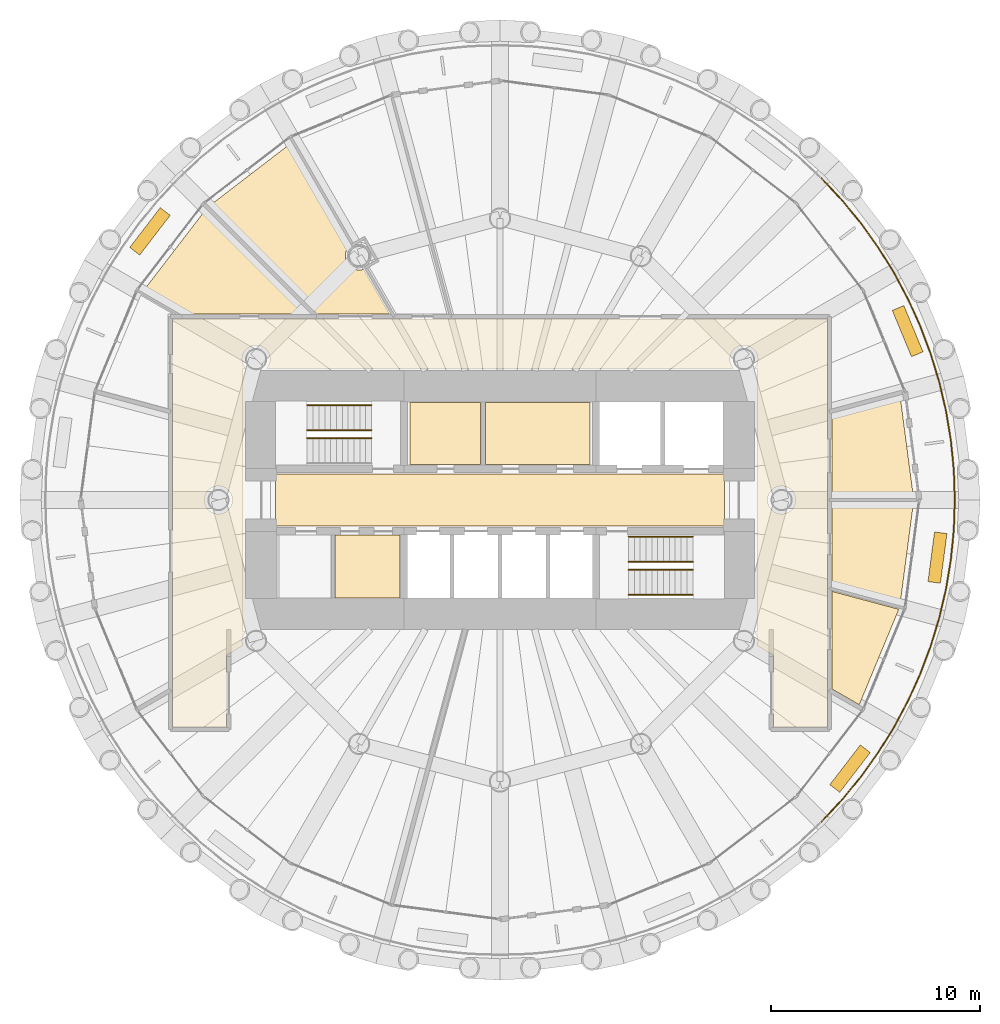
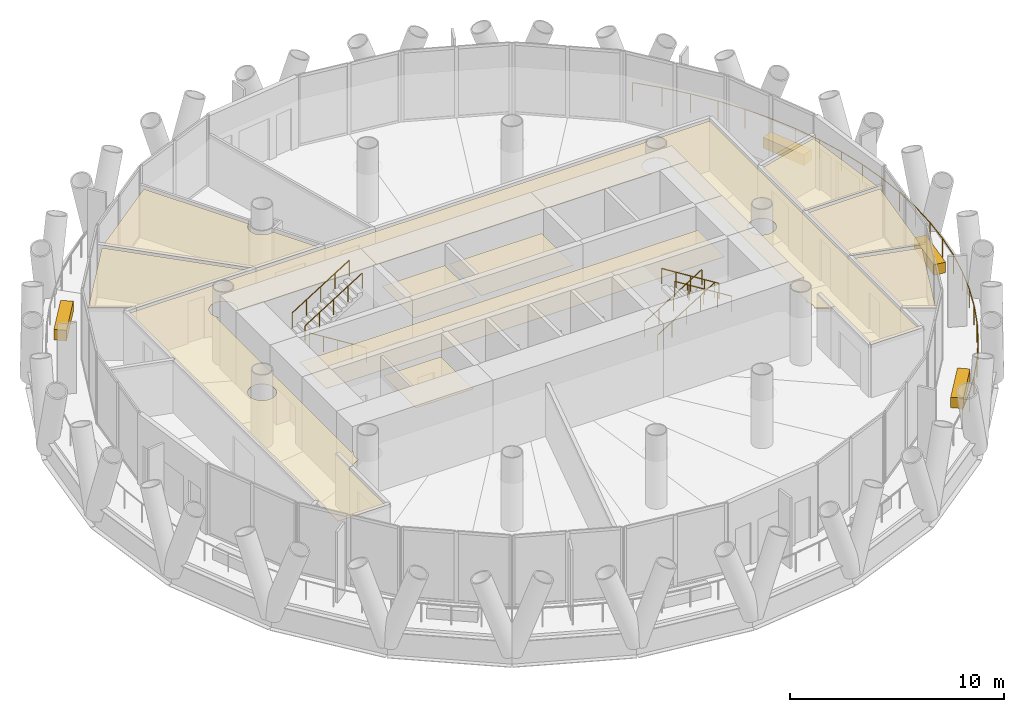
# One storey, part 13 of 14: 14 coverings, 8 railings.
"""IFC4 building model written with IfcOpenShell, lengths in metres."""

from ifc_helpers import new_model, si_unit, direction, frame, origin, origin_2d, place, context, subcontext, project, spatial, polyline, rectangle, circle, outline, extrude, material, layer, layer_set, type_object, element, save


model = new_model("IFC4")

# Units and contexts
model_context = context("Model", 3, precision=1e-05, world=origin(), true_north=direction((0.0, 1.0)))
body_context = subcontext(model_context, "Body", "Model", "MODEL_VIEW")
ifc_project = project(units=[si_unit("LENGTHUNIT", "METRE"), si_unit("AREAUNIT", "SQUARE_METRE"), si_unit("VOLUMEUNIT", "CUBIC_METRE"), si_unit("PLANEANGLEUNIT", "RADIAN"), si_unit("MASSUNIT", "GRAM", prefix="KILO")], contexts=[model_context])

# Site, building, storey
site_placement = place(None, origin())
site = spatial("IfcSite", under=ifc_project, at=site_placement, CompositionType="ELEMENT")
building_placement = place(site_placement, origin())
building = spatial("IfcBuilding", under=site, at=building_placement, Name="Qaws Media Tower", CompositionType="ELEMENT")
storey_placement = place(building_placement, frame((0.0, 0.0, 227.60009765625)))
storey = spatial("IfcBuildingStorey", under=building, at=storey_placement, Name="L52", CompositionType="ELEMENT", Elevation=227.60009765625)

# Covering
ifc_material_1 = material(Name="40 perforated acoustic panels with mineral wool backing, suspended", Category="mineral fibre")
ifc_layer_1 = layer(ifc_material_1, 0.0400390625)
ifc_layer_set_1 = layer_set([ifc_layer_1], Name="Acoustic panel ceiling 40")
covering_type_1 = type_object("IfcCoveringType", Name="Acoustic panel ceiling 40", PredefinedType="CEILING", material=ifc_layer_set_1)
covering_1_placement = place(storey_placement, frame((0.0, 0.0, 2.849853515625)))
element("IfcCovering", 1, at=covering_1_placement, inside=storey, type_object=covering_type_1, Name="CL3 ceiling L52-12 Meeting room", PredefinedType="CEILING", context=body_context, shape_type="SweptSolid", body=[
    extrude(outline(polyline([(79.17431640625, 44.978759765625), (75.91259765625, 45.852783203125), (75.91259765625, 49.887451171875), (79.8203125, 49.887451171875), (79.17431640625, 44.978759765625)])), origin(), (0.0, 0.0, 1.0), 0.0400390625),
])

# Railing
ifc_material_2 = material(Name="Stainless steel and glass guard", Category="steel")
railing_type_1 = type_object("IfcRailingType", Name="Balcony guard 1100", PredefinedType="GUARDRAIL", material=ifc_material_2)
railing_1_placement = place(storey_placement, frame((75.4150390625, 34.5849609375, 0.0)))
element("IfcRailing", 2, at=railing_1_placement, inside=storey, type_object=railing_type_1, Name="GR1 balcony guard L52-4", PredefinedType="GUARDRAIL", context=body_context, shape_type="SweptSolid", body=[
    extrude(circle(Radius=0.02392578125, at=origin_2d()), frame((0.0, 0.0, 1.076171875), z_axis=(0.683536832467, 0.72991602165, 0.0), x_axis=(-0.72991602165, 0.683536832467, 0.0)), (0.0, 0.0, 1.0), 1.426513671875),
    extrude(circle(Radius=0.02392578125, at=origin_2d()), frame((0.97509765625, 1.041259765625, 1.076171875), z_axis=(0.634392660564, 0.773010965138, 0.0), x_axis=(-0.773010965138, 0.634392660564, 0.0)), (0.0, 0.0, 1.0), 1.426513671875),
    extrude(circle(Radius=0.02392578125, at=origin_2d()), frame((1.880126953125, 2.14404296875, 1.076171875), z_axis=(0.58238702239, 0.81291165335, 0.0), x_axis=(-0.81291165335, 0.58238702239, 0.0)), (0.0, 0.0, 1.0), 1.426513671875),
    extrude(circle(Radius=0.02392578125, at=origin_2d()), frame((2.7109375, 3.3037109375, 1.076171875), z_axis=(0.528120931636, 0.849169171348, 0.0), x_axis=(-0.849169171348, 0.528120931636, 0.0)), (0.0, 0.0, 1.0), 1.426513671875),
    extrude(circle(Radius=0.02392578125, at=origin_2d()), frame((3.46435546875, 4.51513671875, 1.076171875), z_axis=(0.471352023632, 0.881945162591, 0.0), x_axis=(-0.881945162591, 0.471352023632, 0.0)), (0.0, 0.0, 1.0), 1.426513671875),
    extrude(circle(Radius=0.02392578125, at=origin_2d()), frame((4.13671875, 5.773193359375, 1.076171875), z_axis=(0.412796933547, 0.910823084717, 0.0), x_axis=(-0.910823084717, 0.412796933547, 0.0)), (0.0, 0.0, 1.0), 1.426513671875),
    extrude(circle(Radius=0.02392578125, at=origin_2d()), frame((4.7255859375, 7.072509765625, 1.076171875), z_axis=(0.352192209434, 0.935927693582, 0.0), x_axis=(-0.935927693582, 0.352192209434, 0.0)), (0.0, 0.0, 1.0), 1.426513671875),
    extrude(circle(Radius=0.02392578125, at=origin_2d()), frame((5.22802734375, 8.40771484375, 1.076171875), z_axis=(0.29028290489, 0.956940873371, 0.0), x_axis=(-0.956940873371, 0.29028290489, 0.0)), (0.0, 0.0, 1.0), 1.426513671875),
    extrude(circle(Radius=0.02392578125, at=origin_2d()), frame((5.64208984375, 9.772705078125, 1.076171875), z_axis=(0.227083552288, 0.973875279633, 0.0), x_axis=(-0.973875279633, 0.227083552288, 0.0)), (0.0, 0.0, 1.0), 1.4267578125),
    extrude(circle(Radius=0.02392578125, at=origin_2d()), frame((5.966064453125, 11.162109375, 1.076171875), z_axis=(0.162927901933, 0.986637977564, 0.0), x_axis=(-0.986637977564, 0.162927901933, 0.0)), (0.0, 0.0, 1.0), 1.426513671875),
    extrude(circle(Radius=0.02392578125, at=origin_2d()), frame((6.198486328125, 12.569580078125, 1.076171875), z_axis=(0.098063326095, 0.995180176689, 0.0), x_axis=(-0.995180176689, 0.098063326095, 0.0)), (0.0, 0.0, 1.0), 1.426513671875),
    extrude(circle(Radius=0.02392578125, at=origin_2d()), frame((6.33837890625, 13.9892578125, 1.076171875), z_axis=(0.03268800179, 0.99946560448, 0.0), x_axis=(-0.99946560448, 0.03268800179, 0.0)), (0.0, 0.0, 1.0), 1.426513671875),
    extrude(circle(Radius=0.02392578125, at=origin_2d()), frame((6.385009765625, 15.4150390625, 1.076171875), z_axis=(-0.03268800179, 0.99946560448, 0.0), x_axis=(-0.99946560448, -0.03268800179, 0.0)), (0.0, 0.0, 1.0), 1.426513671875),
    extrude(circle(Radius=0.02392578125, at=origin_2d()), frame((6.33837890625, 16.8408203125, 1.076171875), z_axis=(-0.098063326095, 0.995180176689, 0.0), x_axis=(-0.995180176689, -0.098063326095, 0.0)), (0.0, 0.0, 1.0), 1.426513671875),
    extrude(circle(Radius=0.02392578125, at=origin_2d()), frame((6.198486328125, 18.260498046875, 1.076171875), z_axis=(-0.162927901933, 0.986637977564, 0.0), x_axis=(-0.986637977564, -0.162927901933, 0.0)), (0.0, 0.0, 1.0), 1.426513671875),
    extrude(circle(Radius=0.02392578125, at=origin_2d()), frame((5.966064453125, 19.66796875, 1.076171875), z_axis=(-0.227083552288, 0.973875279633, 0.0), x_axis=(-0.973875279633, -0.227083552288, 0.0)), (0.0, 0.0, 1.0), 1.4267578125),
    extrude(circle(Radius=0.02392578125, at=origin_2d()), frame((5.64208984375, 21.057373046875, 1.076171875), z_axis=(-0.29028290489, 0.956940873371, 0.0), x_axis=(-0.956940873371, -0.29028290489, 0.0)), (0.0, 0.0, 1.0), 1.426513671875),
    extrude(circle(Radius=0.02392578125, at=origin_2d()), frame((5.22802734375, 22.42236328125, 1.076171875), z_axis=(-0.352192209434, 0.935927693582, 0.0), x_axis=(-0.935927693582, -0.352192209434, 0.0)), (0.0, 0.0, 1.0), 1.426513671875),
    extrude(circle(Radius=0.02392578125, at=origin_2d()), frame((4.7255859375, 23.757568359375, 1.076171875), z_axis=(-0.412796933547, 0.910823084717, 0.0), x_axis=(-0.910823084717, -0.412796933547, 0.0)), (0.0, 0.0, 1.0), 1.426513671875),
    extrude(circle(Radius=0.02392578125, at=origin_2d()), frame((4.13671875, 25.056884765625, 1.076171875), z_axis=(-0.471352023632, 0.881945162591, 0.0), x_axis=(-0.881945162591, -0.471352023632, 0.0)), (0.0, 0.0, 1.0), 1.426513671875),
    extrude(circle(Radius=0.02392578125, at=origin_2d()), frame((3.46435546875, 26.31494140625, 1.076171875), z_axis=(-0.528120931636, 0.849169171348, 0.0), x_axis=(-0.849169171348, -0.528120931636, 0.0)), (0.0, 0.0, 1.0), 1.426513671875),
    extrude(circle(Radius=0.02392578125, at=origin_2d()), frame((2.7109375, 27.5263671875, 1.076171875), z_axis=(-0.58238702239, 0.81291165335, 0.0), x_axis=(-0.81291165335, -0.58238702239, 0.0)), (0.0, 0.0, 1.0), 1.426513671875),
    extrude(circle(Radius=0.02392578125, at=origin_2d()), frame((1.880126953125, 28.68603515625, 1.076171875), z_axis=(-0.634392660564, 0.773010965138, 0.0), x_axis=(-0.773010965138, -0.634392660564, 0.0)), (0.0, 0.0, 1.0), 1.426513671875),
    extrude(circle(Radius=0.02392578125, at=origin_2d()), frame((0.97509765625, 29.788818359375, 1.076171875), z_axis=(-0.683536832467, 0.72991602165, 0.0), x_axis=(-0.72991602165, -0.683536832467, 0.0)), (0.0, 0.0, 1.0), 1.426513671875),
    extrude(circle(Radius=0.02099609375, at=origin_2d()), origin(), (0.0, 0.0, 1.0), 1.052001953125),
    extrude(circle(Radius=0.02099609375, at=origin_2d()), frame((0.97509765625, 1.041259765625, 0.0)), (0.0, 0.0, 1.0), 1.052001953125),
    extrude(circle(Radius=0.02099609375, at=origin_2d()), frame((1.880126953125, 2.14404296875, 0.0)), (0.0, 0.0, 1.0), 1.052001953125),
    extrude(circle(Radius=0.02099609375, at=origin_2d()), frame((2.7109375, 3.3037109375, 0.0)), (0.0, 0.0, 1.0), 1.052001953125),
    extrude(circle(Radius=0.02099609375, at=origin_2d()), frame((3.46435546875, 4.51513671875, 0.0)), (0.0, 0.0, 1.0), 1.052001953125),
    extrude(circle(Radius=0.02099609375, at=origin_2d()), frame((4.13671875, 5.773193359375, 0.0)), (0.0, 0.0, 1.0), 1.052001953125),
    extrude(circle(Radius=0.02099609375, at=origin_2d()), frame((4.7255859375, 7.072509765625, 0.0)), (0.0, 0.0, 1.0), 1.052001953125),
    extrude(circle(Radius=0.02099609375, at=origin_2d()), frame((5.22802734375, 8.40771484375, 0.0)), (0.0, 0.0, 1.0), 1.052001953125),
    extrude(circle(Radius=0.02099609375, at=origin_2d()), frame((5.64208984375, 9.772705078125, 0.0)), (0.0, 0.0, 1.0), 1.052001953125),
    extrude(circle(Radius=0.02099609375, at=origin_2d()), frame((5.966064453125, 11.162109375, 0.0)), (0.0, 0.0, 1.0), 1.052001953125),
    extrude(circle(Radius=0.02099609375, at=origin_2d()), frame((6.198486328125, 12.569580078125, 0.0)), (0.0, 0.0, 1.0), 1.052001953125),
    extrude(circle(Radius=0.02099609375, at=origin_2d()), frame((6.33837890625, 13.9892578125, 0.0)), (0.0, 0.0, 1.0), 1.052001953125),
    extrude(circle(Radius=0.02099609375, at=origin_2d()), frame((6.385009765625, 15.4150390625, 0.0)), (0.0, 0.0, 1.0), 1.052001953125),
    extrude(circle(Radius=0.02099609375, at=origin_2d()), frame((6.33837890625, 16.8408203125, 0.0)), (0.0, 0.0, 1.0), 1.052001953125),
    extrude(circle(Radius=0.02099609375, at=origin_2d()), frame((6.198486328125, 18.260498046875, 0.0)), (0.0, 0.0, 1.0), 1.052001953125),
    extrude(circle(Radius=0.02099609375, at=origin_2d()), frame((5.966064453125, 19.66796875, 0.0)), (0.0, 0.0, 1.0), 1.052001953125),
    extrude(circle(Radius=0.02099609375, at=origin_2d()), frame((5.64208984375, 21.057373046875, 0.0)), (0.0, 0.0, 1.0), 1.052001953125),
    extrude(circle(Radius=0.02099609375, at=origin_2d()), frame((5.22802734375, 22.42236328125, 0.0)), (0.0, 0.0, 1.0), 1.052001953125),
    extrude(circle(Radius=0.02099609375, at=origin_2d()), frame((4.7255859375, 23.757568359375, 0.0)), (0.0, 0.0, 1.0), 1.052001953125),
    extrude(circle(Radius=0.02099609375, at=origin_2d()), frame((4.13671875, 25.056884765625, 0.0)), (0.0, 0.0, 1.0), 1.052001953125),
    extrude(circle(Radius=0.02099609375, at=origin_2d()), frame((3.46435546875, 26.31494140625, 0.0)), (0.0, 0.0, 1.0), 1.052001953125),
    extrude(circle(Radius=0.02099609375, at=origin_2d()), frame((2.7109375, 27.5263671875, 0.0)), (0.0, 0.0, 1.0), 1.052001953125),
    extrude(circle(Radius=0.02099609375, at=origin_2d()), frame((1.880126953125, 28.68603515625, 0.0)), (0.0, 0.0, 1.0), 1.052001953125),
    extrude(circle(Radius=0.02099609375, at=origin_2d()), frame((0.97509765625, 29.788818359375, 0.0)), (0.0, 0.0, 1.0), 1.052001953125),
    extrude(circle(Radius=0.02099609375, at=origin_2d()), frame((0.0, 30.830078125, 0.0)), (0.0, 0.0, 1.0), 1.052001953125),
])

# Coverings
ifc_material_3 = material(Name="600 x 600 mineral fibre tiles in exposed grid, suspended", Category="mineral fibre")
ifc_layer_2 = layer(ifc_material_3, 0.02001953125)
ifc_layer_set_2 = layer_set([ifc_layer_2], Name="Mineral fibre tile ceiling 20")
covering_type_2 = type_object("IfcCoveringType", Name="Mineral fibre tile ceiling 20", PredefinedType="CEILING", material=ifc_layer_set_2)
covering_2_placement = place(storey_placement, frame((0.0, 0.0, 2.849853515625)))
element("IfcCovering", 3, at=covering_2_placement, inside=storey, type_object=covering_type_2, Name="CL1 ceiling L52-C07 Ladies toilets", PredefinedType="CEILING", context=body_context, shape_type="SweptSolid", body=[
    extrude(outline(polyline([(55.695068359375, 51.695068359375), (55.695068359375, 54.679931640625), (59.075439453125, 54.679931640625), (59.075439453125, 51.695068359375), (55.695068359375, 51.695068359375)])), origin(), (0.0, 0.0, 1.0), 0.02001953125),
])
covering_3_placement = place(storey_placement, frame((0.0, 0.0, 2.849853515625)))
element("IfcCovering", 4, at=covering_3_placement, inside=storey, type_object=covering_type_2, Name="CL1 ceiling L52-C08 Gents toilets", PredefinedType="CEILING", context=body_context, shape_type="SweptSolid", body=[
    extrude(outline(polyline([(59.3154296875, 51.695068359375), (59.3154296875, 54.679931640625), (64.304931640625, 54.679931640625), (64.304931640625, 51.695068359375), (59.3154296875, 51.695068359375)])), origin(), (0.0, 0.0, 1.0), 0.02001953125),
])
covering_4_placement = place(storey_placement, frame((0.0, 0.0, 2.849853515625)))
element("IfcCovering", 5, at=covering_4_placement, inside=storey, type_object=covering_type_2, Name="CL1 ceiling L52-01 Corridor", PredefinedType="CEILING", context=body_context, shape_type="SweptSolid", body=[
    extrude(outline(polyline([(44.3125, 39.112548828125), (44.3125, 58.6875), (75.6875, 58.6875), (75.6875, 39.112548828125), (73.112548828125, 39.112548828125), (73.112548828125, 42.559326171875), (72.31689453125, 43.018798828125), (72.336669921875, 43.0771484375), (72.353515625, 43.162841796875), (72.359375, 43.25), (72.353515625, 43.337158203125), (72.336669921875, 43.4228515625), (72.30859375, 43.505615234375), (72.269775390625, 43.583984375), (72.22119140625, 43.65673828125), (72.1943359375, 43.6875), (72.3125, 43.6875), (72.3125, 56.3125), (72.1943359375, 56.3125), (72.22119140625, 56.34326171875), (72.269775390625, 56.416015625), (72.30859375, 56.494384765625), (72.336669921875, 56.5771484375), (72.353515625, 56.662841796875), (72.359375, 56.75), (72.353515625, 56.837158203125), (72.336669921875, 56.9228515625), (72.30859375, 57.005615234375), (72.269775390625, 57.083984375), (72.22119140625, 57.15673828125), (72.163818359375, 57.222412109375), (72.097900390625, 57.280029296875), (72.025390625, 57.32861328125), (71.947021484375, 57.3671875), (71.8642578125, 57.395263671875), (71.778564453125, 57.412353515625), (71.69140625, 57.41796875), (71.604248046875, 57.412353515625), (71.5185546875, 57.395263671875), (71.435791015625, 57.3671875), (71.357421875, 57.32861328125), (71.28466796875, 57.280029296875), (71.218994140625, 57.222412109375), (71.161376953125, 57.15673828125), (71.11279296875, 57.083984375), (71.07421875, 57.005615234375), (71.046142578125, 56.9228515625), (71.029052734375, 56.837158203125), (71.023193359375, 56.75), (71.029052734375, 56.662841796875), (71.046142578125, 56.5771484375), (71.07421875, 56.494384765625), (71.11279296875, 56.416015625), (71.161376953125, 56.34326171875), (71.1884765625, 56.3125), (48.8115234375, 56.3125), (48.838623046875, 56.34326171875), (48.88720703125, 56.416015625), (48.92578125, 56.494384765625), (48.953857421875, 56.5771484375), (48.970947265625, 56.662841796875), (48.976806640625, 56.75), (48.970947265625, 56.837158203125), (48.953857421875, 56.9228515625), (48.92578125, 57.005615234375), (48.88720703125, 57.083984375), (48.838623046875, 57.15673828125), (48.781005859375, 57.222412109375), (48.71533203125, 57.280029296875), (48.642578125, 57.32861328125), (48.564208984375, 57.3671875), (48.4814453125, 57.395263671875), (48.395751953125, 57.412353515625), (48.30859375, 57.41796875), (48.221435546875, 57.412353515625), (48.1357421875, 57.395263671875), (48.052978515625, 57.3671875), (47.974609375, 57.32861328125), (47.902099609375, 57.280029296875), (47.836181640625, 57.222412109375), (47.77880859375, 57.15673828125), (47.730224609375, 57.083984375), (47.69140625, 57.005615234375), (47.663330078125, 56.9228515625), (47.646484375, 56.837158203125), (47.640625, 56.75), (47.646484375, 56.662841796875), (47.663330078125, 56.5771484375), (47.69140625, 56.494384765625), (47.730224609375, 56.416015625), (47.77880859375, 56.34326171875), (47.8056640625, 56.3125), (47.6875, 56.3125), (47.6875, 43.6875), (47.8056640625, 43.6875), (47.77880859375, 43.65673828125), (47.730224609375, 43.583984375), (47.69140625, 43.505615234375), (47.663330078125, 43.4228515625), (47.646484375, 43.337158203125), (47.640625, 43.25), (47.646484375, 43.162841796875), (47.663330078125, 43.0771484375), (47.68310546875, 43.018798828125), (46.887451171875, 42.559326171875), (46.887451171875, 39.112548828125), (44.3125, 39.112548828125)]), holes=[polyline([(47.1171875, 49.744384765625), (47.145263671875, 49.8271484375), (47.162353515625, 49.912841796875), (47.16796875, 50.0), (47.162353515625, 50.087158203125), (47.145263671875, 50.1728515625), (47.1171875, 50.255615234375), (47.07861328125, 50.333984375), (47.030029296875, 50.40673828125), (46.972412109375, 50.472412109375), (46.90673828125, 50.530029296875), (46.833984375, 50.57861328125), (46.755615234375, 50.6171875), (46.6728515625, 50.645263671875), (46.587158203125, 50.662353515625), (46.5, 50.66796875), (46.412841796875, 50.662353515625), (46.3271484375, 50.645263671875), (46.244384765625, 50.6171875), (46.166015625, 50.57861328125), (46.09326171875, 50.530029296875), (46.027587890625, 50.472412109375), (45.969970703125, 50.40673828125), (45.92138671875, 50.333984375), (45.8828125, 50.255615234375), (45.854736328125, 50.1728515625), (45.837646484375, 50.087158203125), (45.83203125, 50.0), (45.837646484375, 49.912841796875), (45.854736328125, 49.8271484375), (45.8828125, 49.744384765625), (45.92138671875, 49.666015625), (45.969970703125, 49.59326171875), (46.027587890625, 49.527587890625), (46.09326171875, 49.469970703125), (46.166015625, 49.42138671875), (46.244384765625, 49.3828125), (46.3271484375, 49.354736328125), (46.412841796875, 49.337646484375), (46.5, 49.33203125), (46.587158203125, 49.337646484375), (46.6728515625, 49.354736328125), (46.755615234375, 49.3828125), (46.833984375, 49.42138671875), (46.90673828125, 49.469970703125), (46.972412109375, 49.527587890625), (47.030029296875, 49.59326171875), (47.07861328125, 49.666015625), (47.1171875, 49.744384765625)]), polyline([(74.145263671875, 49.8271484375), (74.162353515625, 49.912841796875), (74.16796875, 50.0), (74.162353515625, 50.087158203125), (74.145263671875, 50.1728515625), (74.1171875, 50.255615234375), (74.07861328125, 50.333984375), (74.030029296875, 50.40673828125), (73.972412109375, 50.472412109375), (73.90673828125, 50.530029296875), (73.833984375, 50.57861328125), (73.755615234375, 50.6171875), (73.6728515625, 50.645263671875), (73.587158203125, 50.662353515625), (73.5, 50.66796875), (73.412841796875, 50.662353515625), (73.3271484375, 50.645263671875), (73.244384765625, 50.6171875), (73.166015625, 50.57861328125), (73.09326171875, 50.530029296875), (73.027587890625, 50.472412109375), (72.969970703125, 50.40673828125), (72.92138671875, 50.333984375), (72.8828125, 50.255615234375), (72.854736328125, 50.1728515625), (72.837646484375, 50.087158203125), (72.83203125, 50.0), (72.837646484375, 49.912841796875), (72.854736328125, 49.8271484375), (72.8828125, 49.744384765625), (72.92138671875, 49.666015625), (72.969970703125, 49.59326171875), (73.027587890625, 49.527587890625), (73.09326171875, 49.469970703125), (73.166015625, 49.42138671875), (73.244384765625, 49.3828125), (73.3271484375, 49.354736328125), (73.412841796875, 49.337646484375), (73.5, 49.33203125), (73.587158203125, 49.337646484375), (73.6728515625, 49.354736328125), (73.755615234375, 49.3828125), (73.833984375, 49.42138671875), (73.90673828125, 49.469970703125), (73.972412109375, 49.527587890625), (74.030029296875, 49.59326171875), (74.07861328125, 49.666015625), (74.1171875, 49.744384765625), (74.145263671875, 49.8271484375)])]), origin(), (0.0, 0.0, 1.0), 0.02001953125),
])
covering_5_placement = place(storey_placement, frame((0.0, 0.0, 2.849853515625)))
element("IfcCovering", 6, at=covering_5_placement, inside=storey, type_object=covering_type_2, Name="CL1 ceiling L52-06 Office", PredefinedType="CEILING", context=body_context, shape_type="SweptSolid", body=[
    extrude(outline(polyline([(45.9052734375, 63.935546875), (50.928466796875, 58.91259765625), (44.7880859375, 58.91259765625), (42.891357421875, 60.007568359375), (45.9052734375, 63.935546875)])), origin(), (0.0, 0.0, 1.0), 0.02001953125),
])
covering_6_placement = place(storey_placement, frame((0.0, 0.0, 2.849853515625)))
element("IfcCovering", 7, at=covering_6_placement, inside=storey, type_object=covering_type_2, Name="CL1 ceiling L52-11 Tenant office", PredefinedType="CEILING", context=body_context, shape_type="SweptSolid", body=[
    extrude(outline(polyline([(77.22119140625, 40.187255859375), (75.91259765625, 40.94287109375), (75.91259765625, 45.619873046875), (79.115966796875, 44.761474609375), (77.22119140625, 40.187255859375)])), origin(), (0.0, 0.0, 1.0), 0.02001953125),
])
covering_7_placement = place(storey_placement, frame((0.0, 0.0, 2.849853515625)))
element("IfcCovering", 8, at=covering_7_placement, inside=storey, type_object=covering_type_2, Name="CL1 ceiling L52-C05 Shower room", PredefinedType="CEILING", context=body_context, shape_type="SweptSolid", body=[
    extrude(outline(polyline([(52.10009765625, 45.300048828125), (52.10009765625, 48.324951171875), (55.199951171875, 48.324951171875), (55.199951171875, 45.300048828125), (52.10009765625, 45.300048828125)])), origin(), (0.0, 0.0, 1.0), 0.02001953125),
])
ifc_material_4 = material(Name="Precast concrete planter with trailing planting", Category="concrete")
ifc_layer_3 = layer(ifc_material_4, 0.60009765625)
ifc_layer_set_3 = layer_set([ifc_layer_3], Name="Planter 2400x600")
covering_type_3 = type_object("IfcCoveringType", Name="Planter 2400x600", PredefinedType="USERDEFINED", material=ifc_layer_set_3)
for number, where, z_axis, x_axis, name in (
    (9, (79.5400390625, 58.09375, -0.000244140625), (0.0, 0.0, 1.0), (-0.382683432365, 0.923879532511, 0.0), "PL1 balcony planter L52-01"),
    (10, (43.220458984375, 62.875244140625, -0.000244140625), (0.0, 0.0, 1.0), (-0.608761429009, -0.793353340291, 0.0), "PL1 balcony planter L52-05"),
    (11, (76.779541015625, 37.124755859375, -0.000244140625), (0.0, 0.0, 1.0), (0.608761429009, 0.793353340291, 0.0), "PL1 balcony planter L52-11"),
    (12, (80.968994140625, 47.2392578125, -0.000244140625), (0.0, 0.0, 1.0), (0.13052619222, 0.991444861374, 0.0), "PL1 balcony planter L52-12"),
):
    element("IfcCovering", number, at=place(storey_placement, frame(where, z_axis=z_axis, x_axis=x_axis)), inside=storey, type_object=covering_type_3, Name=name, ObjectType="PLANTER", PredefinedType="USERDEFINED", context=body_context, shape_type="SweptSolid", body=[
        extrude(rectangle(XDim=2.39990234375, YDim=0.60009765625, at=origin_2d()), origin(), (0.0, 0.0, 1.0), 0.60009765625),
    ])
ifc_material_5 = material(Name="Two layers 12.5 moisture-resistant plasterboard on suspended metal furring", Category="gypsum")
ifc_layer_4 = layer(ifc_material_5, 0.02490234375)
ifc_layer_set_4 = layer_set([ifc_layer_4], Name="Plasterboard ceiling 25")
covering_type_4 = type_object("IfcCoveringType", Name="Plasterboard ceiling 25", PredefinedType="CEILING", material=ifc_layer_set_4)
covering_8_placement = place(storey_placement, frame((0.0, 0.0, 2.849853515625)))
element("IfcCovering", 13, at=covering_8_placement, inside=storey, type_object=covering_type_4, Name="CL2 ceiling L52-C01 Lift lobby", PredefinedType="CEILING", context=body_context, shape_type="SweptSolid", body=[
    extrude(outline(polyline([(49.25, 48.75), (49.25, 51.25), (70.75, 51.25), (70.75, 48.75), (49.25, 48.75)])), origin(), (0.0, 0.0, 1.0), 0.025146484375),
])
covering_9_placement = place(storey_placement, frame((0.0, 0.0, 2.849853515625)))
element("IfcCovering", 14, at=covering_9_placement, inside=storey, type_object=covering_type_4, Name="CL2 ceiling L52-02 Tenant reception", PredefinedType="CEILING", context=body_context, shape_type="SweptSolid", body=[
    extrude(outline(polyline([(79.8203125, 50.112548828125), (75.91259765625, 50.112548828125), (75.91259765625, 54.147216796875), (79.17431640625, 55.021240234375), (79.8203125, 50.112548828125)])), origin(), (0.0, 0.0, 1.0), 0.025146484375),
])
covering_10_placement = place(storey_placement, frame((0.0, 0.0, 2.849853515625)))
element("IfcCovering", 15, at=covering_10_placement, inside=storey, type_object=covering_type_4, Name="CL2 ceiling L52-05 Tenant reception", PredefinedType="CEILING", context=body_context, shape_type="SweptSolid", body=[
    extrude(outline(polyline([(49.992431640625, 67.108642578125), (52.823974609375, 62.204345703125), (52.777587890625, 62.163818359375), (52.719970703125, 62.097900390625), (52.67138671875, 62.025390625), (52.6328125, 61.947021484375), (52.604736328125, 61.8642578125), (52.587646484375, 61.778564453125), (52.58203125, 61.69140625), (52.587646484375, 61.604248046875), (52.604736328125, 61.5185546875), (52.6328125, 61.435791015625), (52.67138671875, 61.357421875), (52.719970703125, 61.28466796875), (52.777587890625, 61.218994140625), (52.84326171875, 61.161376953125), (52.916015625, 61.11279296875), (52.994384765625, 61.07421875), (53.0771484375, 61.046142578125), (53.162841796875, 61.029052734375), (53.25, 61.023193359375), (53.337158203125, 61.029052734375), (53.4228515625, 61.046142578125), (53.481201171875, 61.06591796875), (54.724609375, 58.91259765625), (51.24658203125, 58.91259765625), (46.064453125, 64.0947265625), (49.992431640625, 67.108642578125)])), origin(), (0.0, 0.0, 1.0), 0.025146484375),
])

# Railings
ifc_material_6 = material(Name="Steel tube handrail", Category="steel")
railing_type_2 = type_object("IfcRailingType", Name="Stair handrail 900", PredefinedType="HANDRAIL", material=ifc_material_6)
railing_2_placement = place(storey_placement, frame((53.840087890625, 52.9599609375, 0.1748046875)))
element("IfcRailing", 16, at=railing_2_placement, inside=storey, type_object=railing_type_2, Name="HR1 handrail S1 flight 1 L52", PredefinedType="HANDRAIL", context=body_context, shape_type="SweptSolid", body=[
    extrude(circle(Radius=0.02392578125, at=origin_2d()), frame((0.0, 0.0, 0.8759765625), z_axis=(-0.847998304005, 0.0, 0.529998940003), x_axis=(0.0, -1.0, 0.0)), (0.0, 0.0, 1.0), 3.632080078125),
    extrude(circle(Radius=0.02099609375, at=origin_2d()), origin(), (0.0, 0.0, 1.0), 0.851806640625),
    extrude(circle(Radius=0.02099609375, at=origin_2d()), frame((-0.77001953125, 0.0, 0.481201171875)), (0.0, 0.0, 1.0), 0.851806640625),
    extrude(circle(Radius=0.02099609375, at=origin_2d()), frame((-1.5400390625, 0.0, 0.96240234375)), (0.0, 0.0, 1.0), 0.851806640625),
    extrude(circle(Radius=0.02099609375, at=origin_2d()), frame((-2.31005859375, 0.0, 1.44384765625)), (0.0, 0.0, 1.0), 0.851806640625),
    extrude(circle(Radius=0.02099609375, at=origin_2d()), frame((-3.080078125, 0.0, 1.925048828125)), (0.0, 0.0, 1.0), 0.851806640625),
])
for number, where, name in (
    (17, (50.760009765625, 54.550048828125, 2.27490234375), "HR1 handrail S1 flight 2 L52"),
    (18, (50.760009765625, 53.340087890625, 2.27490234375), "HR1 handrail S1 flight 2 L52"),
    (19, (66.159912109375, 48.25, 0.1748046875), "HR1 handrail S2 flight 1 L52"),
    (20, (66.159912109375, 47.0400390625, 0.1748046875), "HR1 handrail S2 flight 1 L52"),
):
    element("IfcRailing", number, at=place(storey_placement, frame(where)), inside=storey, type_object=railing_type_2, Name=name, PredefinedType="HANDRAIL", context=body_context, shape_type="SweptSolid", body=[
        extrude(circle(Radius=0.02392578125, at=origin_2d()), frame((0.0, 0.0, 0.8759765625), z_axis=(0.847998304005, 0.0, 0.529998940003), x_axis=(0.0, 1.0, 0.0)), (0.0, 0.0, 1.0), 3.632080078125),
        extrude(circle(Radius=0.02099609375, at=origin_2d()), origin(), (0.0, 0.0, 1.0), 0.851806640625),
        extrude(circle(Radius=0.02099609375, at=origin_2d()), frame((0.77001953125, 0.0, 0.481201171875)), (0.0, 0.0, 1.0), 0.851806640625),
        extrude(circle(Radius=0.02099609375, at=origin_2d()), frame((1.5400390625, 0.0, 0.96240234375)), (0.0, 0.0, 1.0), 0.851806640625),
        extrude(circle(Radius=0.02099609375, at=origin_2d()), frame((2.31005859375, 0.0, 1.44384765625)), (0.0, 0.0, 1.0), 0.851806640625),
        extrude(circle(Radius=0.02099609375, at=origin_2d()), frame((3.080078125, 0.0, 1.925048828125)), (0.0, 0.0, 1.0), 0.851806640625),
    ])
for number, where, name in (
    (21, (69.239990234375, 45.449951171875, 2.27490234375), "HR1 handrail S2 flight 2 L52"),
    (22, (69.239990234375, 46.659912109375, 2.27490234375), "HR1 handrail S2 flight 2 L52"),
):
    element("IfcRailing", number, at=place(storey_placement, frame(where)), inside=storey, type_object=railing_type_2, Name=name, PredefinedType="HANDRAIL", context=body_context, shape_type="SweptSolid", body=[
        extrude(circle(Radius=0.02392578125, at=origin_2d()), frame((0.0, 0.0, 0.8759765625), z_axis=(-0.847998304005, 0.0, 0.529998940003), x_axis=(0.0, -1.0, 0.0)), (0.0, 0.0, 1.0), 3.632080078125),
        extrude(circle(Radius=0.02099609375, at=origin_2d()), origin(), (0.0, 0.0, 1.0), 0.851806640625),
        extrude(circle(Radius=0.02099609375, at=origin_2d()), frame((-0.77001953125, 0.0, 0.481201171875)), (0.0, 0.0, 1.0), 0.851806640625),
        extrude(circle(Radius=0.02099609375, at=origin_2d()), frame((-1.5400390625, 0.0, 0.96240234375)), (0.0, 0.0, 1.0), 0.851806640625),
        extrude(circle(Radius=0.02099609375, at=origin_2d()), frame((-2.31005859375, 0.0, 1.44384765625)), (0.0, 0.0, 1.0), 0.851806640625),
        extrude(circle(Radius=0.02099609375, at=origin_2d()), frame((-3.080078125, 0.0, 1.925048828125)), (0.0, 0.0, 1.0), 0.851806640625),
    ])

save(model, "model.ifc")
